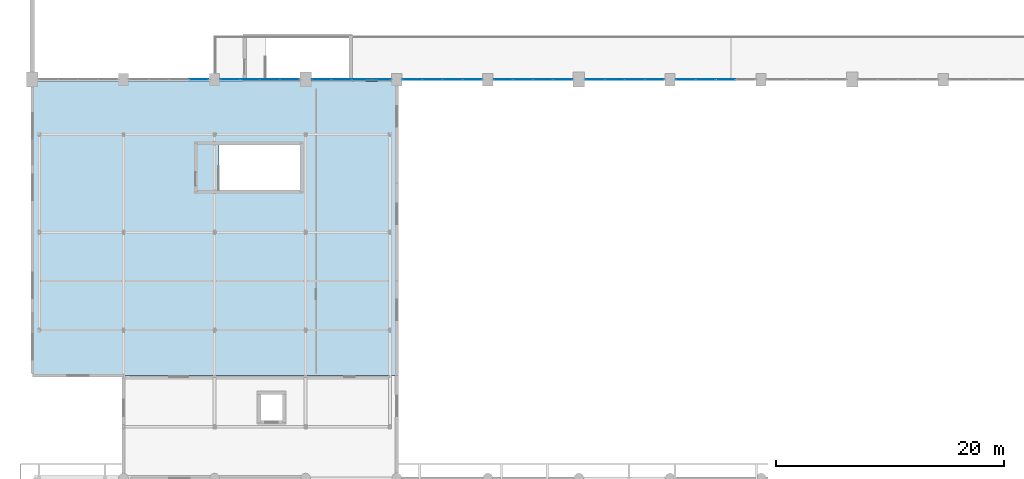
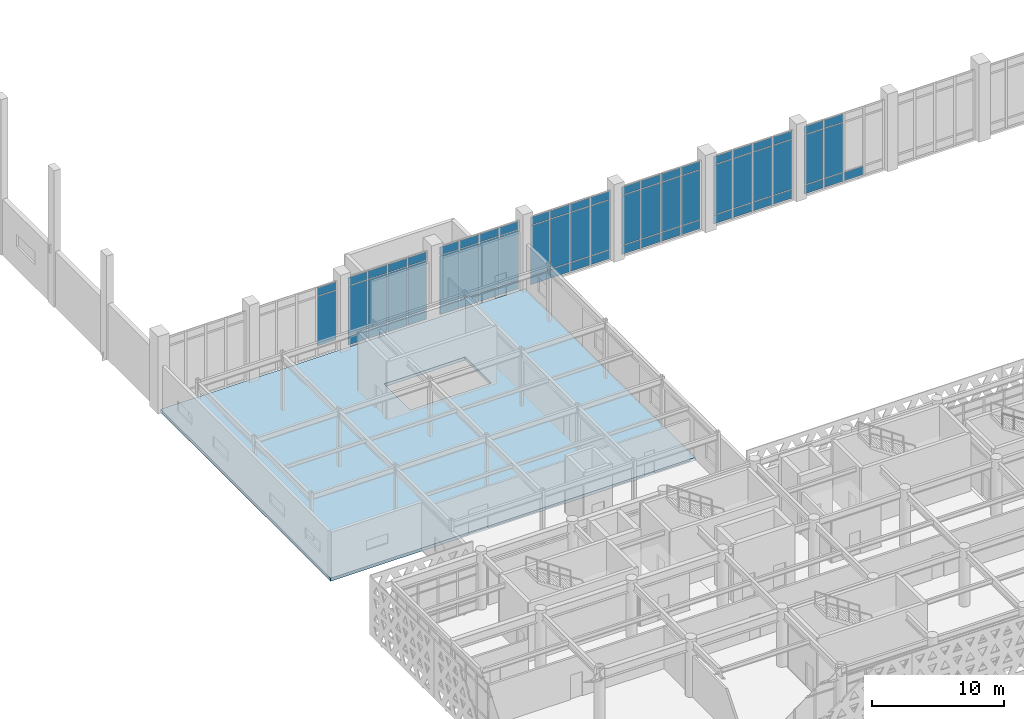
# One storey, part 48 of 84: 69 plates, 1 slab, 7 elements without a shape of their own.
"""IFC4 building model written with IfcOpenShell, lengths in metres."""

from ifc_helpers import new_model, si_unit, direction, frame, origin, origin_2d, place, context, subcontext, project, spatial, polyline, rectangle, outline, extrude, material, layer, layer_set, type_object, element, aggregate, save


model = new_model("IFC4")

# Units and contexts
model_context = context("Model", 3, precision=1e-05, world=origin(), true_north=direction((0.0, 1.0)))
body_context = subcontext(model_context, "Body", "Model", "MODEL_VIEW")
ifc_project = project(units=[si_unit("LENGTHUNIT", "METRE"), si_unit("AREAUNIT", "SQUARE_METRE"), si_unit("VOLUMEUNIT", "CUBIC_METRE"), si_unit("PLANEANGLEUNIT", "RADIAN"), si_unit("MASSUNIT", "GRAM", prefix="KILO")], contexts=[model_context])

# Site, building, storey
site_placement = place(None, origin())
site = spatial("IfcSite", under=ifc_project, at=site_placement, CompositionType="ELEMENT")
building_placement = place(site_placement, origin())
building = spatial("IfcBuilding", under=site, at=building_placement, Name="Tlacozan Convention Centre", CompositionType="ELEMENT")
storey_placement = place(building_placement, frame((0.0, 0.0, 6.0)))
storey = spatial("IfcBuildingStorey", under=building, at=storey_placement, Name="L01", CompositionType="ELEMENT", Elevation=6.0)

# Curtain wall, plates
ifc_material_1 = material(Name="Dark Bronze Anodised Aluminium", Category="aluminium")
ifc_layer_1 = layer(ifc_material_1, 0.199951171875)
ifc_layer_set_1 = layer_set([ifc_layer_1], Name="Dark Bronze Anodised Aluminium")
curtain_wall_type = type_object("IfcCurtainWallType", Name="Exhibition Clerestory Curtain Wall CW10", PredefinedType="NOTDEFINED", material=ifc_layer_set_1)
curtain_wall_1_placement = place(storey_placement, origin())
curtain_wall_1 = element("IfcCurtainWall", 1, at=curtain_wall_1_placement, inside=storey, type_object=curtain_wall_type, Name="L01 CW-10 Run 10", PredefinedType="NOTDEFINED")
ifc_material_2 = material(Name="Solar Control Double Low-E Argon Glazing", Category="glass")
ifc_layer_2 = layer(ifc_material_2, 0.050048828125)
ifc_layer_set_2 = layer_set([ifc_layer_2], Name="Solar Control Double Low-E Argon Glazing")
plate_type = type_object("IfcPlateType", Name="Clerestory Solar CW Panel 50", PredefinedType="CURTAIN_PANEL", material=ifc_layer_set_2)
plate_1_placement = place(storey_placement, frame((14.632568359375, 62.0, 0.9375), z_axis=(0.0, 0.0, 1.0), x_axis=(1.0, 0.0, 0.0)))
plate_1 = element("IfcPlate", 2, at=plate_1_placement, type_object=plate_type, Name="CW-10 panel 4.2", PredefinedType="CURTAIN_PANEL", context=body_context, shape_type="SweptSolid", body=[
    extrude(rectangle(XDim=1.655029296875, YDim=0.050048828125, at=origin_2d()), origin(), (0.0, 0.0, 1.0), 4.574951171875),
])
plate_2_placement = place(storey_placement, frame((14.632568359375, 62.0, 5.58740234375), z_axis=(0.0, 0.0, 1.0), x_axis=(1.0, 0.0, 0.0)))
plate_2 = element("IfcPlate", 3, at=plate_2_placement, type_object=plate_type, Name="CW-10 panel 4.3", PredefinedType="CURTAIN_PANEL", context=body_context, shape_type="SweptSolid", body=[
    extrude(rectangle(XDim=1.655029296875, YDim=0.050048828125, at=origin_2d()), origin(), (0.0, 0.0, 1.0), 0.737548828125),
])
aggregate(curtain_wall_1, [plate_1, plate_2])

curtain_wall_2_placement = place(storey_placement, origin())
curtain_wall_2 = element("IfcCurtainWall", 4, at=curtain_wall_2_placement, inside=storey, type_object=curtain_wall_type, Name="L01 CW-10 Run 11", PredefinedType="NOTDEFINED")
plate_3_placement = place(storey_placement, frame((17.361328125, 62.0, 0.074951171875), z_axis=(0.0, 0.0, 1.0), x_axis=(1.0, 0.0, 0.0)))
plate_3 = element("IfcPlate", 5, at=plate_3_placement, type_object=plate_type, Name="CW-10 panel 1.1", PredefinedType="CURTAIN_PANEL", context=body_context, shape_type="SweptSolid", body=[
    extrude(rectangle(XDim=1.642578125, YDim=0.050048828125, at=origin_2d()), origin(), (0.0, 0.0, 1.0), 0.78759765625),
])
plate_4_placement = place(storey_placement, frame((17.361328125, 62.0, 0.9375), z_axis=(0.0, 0.0, 1.0), x_axis=(1.0, 0.0, 0.0)))
plate_4 = element("IfcPlate", 6, at=plate_4_placement, type_object=plate_type, Name="CW-10 panel 1.2", PredefinedType="CURTAIN_PANEL", context=body_context, shape_type="SweptSolid", body=[
    extrude(rectangle(XDim=1.642578125, YDim=0.050048828125, at=origin_2d()), origin(), (0.0, 0.0, 1.0), 4.574951171875),
])
plate_5_placement = place(storey_placement, frame((17.361328125, 62.0, 5.58740234375), z_axis=(0.0, 0.0, 1.0), x_axis=(1.0, 0.0, 0.0)))
plate_5 = element("IfcPlate", 7, at=plate_5_placement, type_object=plate_type, Name="CW-10 panel 1.3", PredefinedType="CURTAIN_PANEL", context=body_context, shape_type="SweptSolid", body=[
    extrude(rectangle(XDim=1.642578125, YDim=0.050048828125, at=origin_2d()), origin(), (0.0, 0.0, 1.0), 0.737548828125),
])
plate_6_placement = place(storey_placement, frame((19.097412109375, 62.0, 0.074951171875), z_axis=(0.0, 0.0, 1.0), x_axis=(1.0, 0.0, 0.0)))
plate_6 = element("IfcPlate", 8, at=plate_6_placement, type_object=plate_type, Name="CW-10 panel 2.1", PredefinedType="CURTAIN_PANEL", context=body_context, shape_type="SweptSolid", body=[
    extrude(rectangle(XDim=1.679931640625, YDim=0.050048828125, at=origin_2d()), origin(), (0.0, 0.0, 1.0), 0.78759765625),
])
plate_7_placement = place(storey_placement, frame((19.097412109375, 62.0, 0.9375), z_axis=(0.0, 0.0, 1.0), x_axis=(1.0, 0.0, 0.0)))
plate_7 = element("IfcPlate", 9, at=plate_7_placement, type_object=plate_type, Name="CW-10 panel 2.2", PredefinedType="CURTAIN_PANEL", context=body_context, shape_type="SweptSolid", body=[
    extrude(rectangle(XDim=1.679931640625, YDim=0.050048828125, at=origin_2d()), origin(), (0.0, 0.0, 1.0), 4.574951171875),
])
plate_8_placement = place(storey_placement, frame((19.097412109375, 62.0, 5.58740234375), z_axis=(0.0, 0.0, 1.0), x_axis=(1.0, 0.0, 0.0)))
plate_8 = element("IfcPlate", 10, at=plate_8_placement, type_object=plate_type, Name="CW-10 panel 2.3", PredefinedType="CURTAIN_PANEL", context=body_context, shape_type="SweptSolid", body=[
    extrude(rectangle(XDim=1.679931640625, YDim=0.050048828125, at=origin_2d()), origin(), (0.0, 0.0, 1.0), 0.737548828125),
])
plate_9_placement = place(storey_placement, frame((20.8525390625, 62.0, 0.074951171875), z_axis=(0.0, 0.0, 1.0), x_axis=(1.0, 0.0, 0.0)))
plate_9 = element("IfcPlate", 11, at=plate_9_placement, type_object=plate_type, Name="CW-10 panel 3.1", PredefinedType="CURTAIN_PANEL", context=body_context, shape_type="SweptSolid", body=[
    extrude(rectangle(XDim=1.679931640625, YDim=0.050048828125, at=origin_2d()), origin(), (0.0, 0.0, 1.0), 0.78759765625),
])
plate_10_placement = place(storey_placement, frame((20.8525390625, 62.0, 0.9375), z_axis=(0.0, 0.0, 1.0), x_axis=(1.0, 0.0, 0.0)))
plate_10 = element("IfcPlate", 12, at=plate_10_placement, type_object=plate_type, Name="CW-10 panel 3.2", PredefinedType="CURTAIN_PANEL", context=body_context, shape_type="SweptSolid", body=[
    extrude(rectangle(XDim=1.679931640625, YDim=0.050048828125, at=origin_2d()), origin(), (0.0, 0.0, 1.0), 4.574951171875),
])
plate_11_placement = place(storey_placement, frame((20.8525390625, 62.0, 5.58740234375), z_axis=(0.0, 0.0, 1.0), x_axis=(1.0, 0.0, 0.0)))
plate_11 = element("IfcPlate", 13, at=plate_11_placement, type_object=plate_type, Name="CW-10 panel 3.3", PredefinedType="CURTAIN_PANEL", context=body_context, shape_type="SweptSolid", body=[
    extrude(rectangle(XDim=1.679931640625, YDim=0.050048828125, at=origin_2d()), origin(), (0.0, 0.0, 1.0), 0.737548828125),
])
plate_12_placement = place(storey_placement, frame((22.5888671875, 62.0, 0.074951171875), z_axis=(0.0, 0.0, 1.0), x_axis=(1.0, 0.0, 0.0)))
plate_12 = element("IfcPlate", 14, at=plate_12_placement, type_object=plate_type, Name="CW-10 panel 4.1", PredefinedType="CURTAIN_PANEL", context=body_context, shape_type="SweptSolid", body=[
    extrude(rectangle(XDim=1.642578125, YDim=0.050048828125, at=origin_2d()), origin(), (0.0, 0.0, 1.0), 0.78759765625),
])
plate_13_placement = place(storey_placement, frame((22.5888671875, 62.0, 0.9375), z_axis=(0.0, 0.0, 1.0), x_axis=(1.0, 0.0, 0.0)))
plate_13 = element("IfcPlate", 15, at=plate_13_placement, type_object=plate_type, Name="CW-10 panel 4.2", PredefinedType="CURTAIN_PANEL", context=body_context, shape_type="SweptSolid", body=[
    extrude(rectangle(XDim=1.642578125, YDim=0.050048828125, at=origin_2d()), origin(), (0.0, 0.0, 1.0), 4.574951171875),
])
plate_14_placement = place(storey_placement, frame((22.5888671875, 62.0, 5.58740234375), z_axis=(0.0, 0.0, 1.0), x_axis=(1.0, 0.0, 0.0)))
plate_14 = element("IfcPlate", 16, at=plate_14_placement, type_object=plate_type, Name="CW-10 panel 4.3", PredefinedType="CURTAIN_PANEL", context=body_context, shape_type="SweptSolid", body=[
    extrude(rectangle(XDim=1.642578125, YDim=0.050048828125, at=origin_2d()), origin(), (0.0, 0.0, 1.0), 0.737548828125),
])
aggregate(curtain_wall_2, [plate_3, plate_4, plate_5, plate_6, plate_7, plate_8, plate_9, plate_10, plate_11, plate_12, plate_13, plate_14])

curtain_wall_3_placement = place(storey_placement, origin())
curtain_wall_3 = element("IfcCurtainWall", 17, at=curtain_wall_3_placement, inside=storey, type_object=curtain_wall_type, Name="L01 CW-10 Run 12", PredefinedType="NOTDEFINED")
plate_15_placement = place(storey_placement, frame((25.4111328125, 62.0, 0.074951171875), z_axis=(0.0, 0.0, 1.0), x_axis=(1.0, 0.0, 0.0)))
plate_15 = element("IfcPlate", 18, at=plate_15_placement, type_object=plate_type, Name="CW-10 panel 1.1", PredefinedType="CURTAIN_PANEL", context=body_context, shape_type="SweptSolid", body=[
    extrude(rectangle(XDim=1.642578125, YDim=0.050048828125, at=origin_2d()), origin(), (0.0, 0.0, 1.0), 0.78759765625),
])
plate_16_placement = place(storey_placement, frame((25.4111328125, 62.0, 0.9375), z_axis=(0.0, 0.0, 1.0), x_axis=(1.0, 0.0, 0.0)))
plate_16 = element("IfcPlate", 19, at=plate_16_placement, type_object=plate_type, Name="CW-10 panel 1.2", PredefinedType="CURTAIN_PANEL", context=body_context, shape_type="SweptSolid", body=[
    extrude(rectangle(XDim=1.642578125, YDim=0.050048828125, at=origin_2d()), origin(), (0.0, 0.0, 1.0), 4.574951171875),
])
plate_17_placement = place(storey_placement, frame((25.4111328125, 62.0, 5.58740234375), z_axis=(0.0, 0.0, 1.0), x_axis=(1.0, 0.0, 0.0)))
plate_17 = element("IfcPlate", 20, at=plate_17_placement, type_object=plate_type, Name="CW-10 panel 1.3", PredefinedType="CURTAIN_PANEL", context=body_context, shape_type="SweptSolid", body=[
    extrude(rectangle(XDim=1.642578125, YDim=0.050048828125, at=origin_2d()), origin(), (0.0, 0.0, 1.0), 0.737548828125),
])
plate_18_placement = place(storey_placement, frame((27.1474609375, 62.0, 0.074951171875), z_axis=(0.0, 0.0, 1.0), x_axis=(1.0, 0.0, 0.0)))
plate_18 = element("IfcPlate", 21, at=plate_18_placement, type_object=plate_type, Name="CW-10 panel 2.1", PredefinedType="CURTAIN_PANEL", context=body_context, shape_type="SweptSolid", body=[
    extrude(rectangle(XDim=1.679931640625, YDim=0.050048828125, at=origin_2d()), origin(), (0.0, 0.0, 1.0), 0.78759765625),
])
plate_19_placement = place(storey_placement, frame((27.1474609375, 62.0, 0.9375), z_axis=(0.0, 0.0, 1.0), x_axis=(1.0, 0.0, 0.0)))
plate_19 = element("IfcPlate", 22, at=plate_19_placement, type_object=plate_type, Name="CW-10 panel 2.2", PredefinedType="CURTAIN_PANEL", context=body_context, shape_type="SweptSolid", body=[
    extrude(rectangle(XDim=1.679931640625, YDim=0.050048828125, at=origin_2d()), origin(), (0.0, 0.0, 1.0), 4.574951171875),
])
plate_20_placement = place(storey_placement, frame((27.1474609375, 62.0, 5.58740234375), z_axis=(0.0, 0.0, 1.0), x_axis=(1.0, 0.0, 0.0)))
plate_20 = element("IfcPlate", 23, at=plate_20_placement, type_object=plate_type, Name="CW-10 panel 2.3", PredefinedType="CURTAIN_PANEL", context=body_context, shape_type="SweptSolid", body=[
    extrude(rectangle(XDim=1.679931640625, YDim=0.050048828125, at=origin_2d()), origin(), (0.0, 0.0, 1.0), 0.737548828125),
])
plate_21_placement = place(storey_placement, frame((28.902587890625, 62.0, 0.074951171875), z_axis=(0.0, 0.0, 1.0), x_axis=(1.0, 0.0, 0.0)))
plate_21 = element("IfcPlate", 24, at=plate_21_placement, type_object=plate_type, Name="CW-10 panel 3.1", PredefinedType="CURTAIN_PANEL", context=body_context, shape_type="SweptSolid", body=[
    extrude(rectangle(XDim=1.679931640625, YDim=0.050048828125, at=origin_2d()), origin(), (0.0, 0.0, 1.0), 0.78759765625),
])
plate_22_placement = place(storey_placement, frame((28.902587890625, 62.0, 0.9375), z_axis=(0.0, 0.0, 1.0), x_axis=(1.0, 0.0, 0.0)))
plate_22 = element("IfcPlate", 25, at=plate_22_placement, type_object=plate_type, Name="CW-10 panel 3.2", PredefinedType="CURTAIN_PANEL", context=body_context, shape_type="SweptSolid", body=[
    extrude(rectangle(XDim=1.679931640625, YDim=0.050048828125, at=origin_2d()), origin(), (0.0, 0.0, 1.0), 4.574951171875),
])
plate_23_placement = place(storey_placement, frame((28.902587890625, 62.0, 5.58740234375), z_axis=(0.0, 0.0, 1.0), x_axis=(1.0, 0.0, 0.0)))
plate_23 = element("IfcPlate", 26, at=plate_23_placement, type_object=plate_type, Name="CW-10 panel 3.3", PredefinedType="CURTAIN_PANEL", context=body_context, shape_type="SweptSolid", body=[
    extrude(rectangle(XDim=1.679931640625, YDim=0.050048828125, at=origin_2d()), origin(), (0.0, 0.0, 1.0), 0.737548828125),
])
plate_24_placement = place(storey_placement, frame((30.638671875, 62.0, 0.074951171875), z_axis=(0.0, 0.0, 1.0), x_axis=(1.0, 0.0, 0.0)))
plate_24 = element("IfcPlate", 27, at=plate_24_placement, type_object=plate_type, Name="CW-10 panel 4.1", PredefinedType="CURTAIN_PANEL", context=body_context, shape_type="SweptSolid", body=[
    extrude(rectangle(XDim=1.642578125, YDim=0.050048828125, at=origin_2d()), origin(), (0.0, 0.0, 1.0), 0.78759765625),
])
plate_25_placement = place(storey_placement, frame((30.638671875, 62.0, 0.9375), z_axis=(0.0, 0.0, 1.0), x_axis=(1.0, 0.0, 0.0)))
plate_25 = element("IfcPlate", 28, at=plate_25_placement, type_object=plate_type, Name="CW-10 panel 4.2", PredefinedType="CURTAIN_PANEL", context=body_context, shape_type="SweptSolid", body=[
    extrude(rectangle(XDim=1.642578125, YDim=0.050048828125, at=origin_2d()), origin(), (0.0, 0.0, 1.0), 4.574951171875),
])
plate_26_placement = place(storey_placement, frame((30.638671875, 62.0, 5.58740234375), z_axis=(0.0, 0.0, 1.0), x_axis=(1.0, 0.0, 0.0)))
plate_26 = element("IfcPlate", 29, at=plate_26_placement, type_object=plate_type, Name="CW-10 panel 4.3", PredefinedType="CURTAIN_PANEL", context=body_context, shape_type="SweptSolid", body=[
    extrude(rectangle(XDim=1.642578125, YDim=0.050048828125, at=origin_2d()), origin(), (0.0, 0.0, 1.0), 0.737548828125),
])
aggregate(curtain_wall_3, [plate_15, plate_16, plate_17, plate_18, plate_19, plate_20, plate_21, plate_22, plate_23, plate_24, plate_25, plate_26])

curtain_wall_4_placement = place(storey_placement, origin())
curtain_wall_4 = element("IfcCurtainWall", 30, at=curtain_wall_4_placement, inside=storey, type_object=curtain_wall_type, Name="L01 CW-10 Run 13", PredefinedType="NOTDEFINED")
plate_27_placement = place(storey_placement, frame((33.367431640625, 62.0, 0.074951171875), z_axis=(0.0, 0.0, 1.0), x_axis=(1.0, 0.0, 0.0)))
plate_27 = element("IfcPlate", 31, at=plate_27_placement, type_object=plate_type, Name="CW-10 panel 1.1", PredefinedType="CURTAIN_PANEL", context=body_context, shape_type="SweptSolid", body=[
    extrude(rectangle(XDim=1.655029296875, YDim=0.050048828125, at=origin_2d()), origin(), (0.0, 0.0, 1.0), 0.78759765625),
])
plate_28_placement = place(storey_placement, frame((33.367431640625, 62.0, 0.9375), z_axis=(0.0, 0.0, 1.0), x_axis=(1.0, 0.0, 0.0)))
plate_28 = element("IfcPlate", 32, at=plate_28_placement, type_object=plate_type, Name="CW-10 panel 1.2", PredefinedType="CURTAIN_PANEL", context=body_context, shape_type="SweptSolid", body=[
    extrude(rectangle(XDim=1.655029296875, YDim=0.050048828125, at=origin_2d()), origin(), (0.0, 0.0, 1.0), 4.574951171875),
])
plate_29_placement = place(storey_placement, frame((33.367431640625, 62.0, 5.58740234375), z_axis=(0.0, 0.0, 1.0), x_axis=(1.0, 0.0, 0.0)))
plate_29 = element("IfcPlate", 33, at=plate_29_placement, type_object=plate_type, Name="CW-10 panel 1.3", PredefinedType="CURTAIN_PANEL", context=body_context, shape_type="SweptSolid", body=[
    extrude(rectangle(XDim=1.655029296875, YDim=0.050048828125, at=origin_2d()), origin(), (0.0, 0.0, 1.0), 0.737548828125),
])
plate_30_placement = place(storey_placement, frame((35.1162109375, 62.0, 0.074951171875), z_axis=(0.0, 0.0, 1.0), x_axis=(1.0, 0.0, 0.0)))
plate_30 = element("IfcPlate", 34, at=plate_30_placement, type_object=plate_type, Name="CW-10 panel 2.1", PredefinedType="CURTAIN_PANEL", context=body_context, shape_type="SweptSolid", body=[
    extrude(rectangle(XDim=1.6923828125, YDim=0.050048828125, at=origin_2d()), origin(), (0.0, 0.0, 1.0), 0.78759765625),
])
plate_31_placement = place(storey_placement, frame((35.1162109375, 62.0, 0.9375), z_axis=(0.0, 0.0, 1.0), x_axis=(1.0, 0.0, 0.0)))
plate_31 = element("IfcPlate", 35, at=plate_31_placement, type_object=plate_type, Name="CW-10 panel 2.2", PredefinedType="CURTAIN_PANEL", context=body_context, shape_type="SweptSolid", body=[
    extrude(rectangle(XDim=1.6923828125, YDim=0.050048828125, at=origin_2d()), origin(), (0.0, 0.0, 1.0), 4.574951171875),
])
plate_32_placement = place(storey_placement, frame((35.1162109375, 62.0, 5.58740234375), z_axis=(0.0, 0.0, 1.0), x_axis=(1.0, 0.0, 0.0)))
plate_32 = element("IfcPlate", 36, at=plate_32_placement, type_object=plate_type, Name="CW-10 panel 2.3", PredefinedType="CURTAIN_PANEL", context=body_context, shape_type="SweptSolid", body=[
    extrude(rectangle(XDim=1.6923828125, YDim=0.050048828125, at=origin_2d()), origin(), (0.0, 0.0, 1.0), 0.737548828125),
])
plate_33_placement = place(storey_placement, frame((36.8837890625, 62.0, 0.074951171875), z_axis=(0.0, 0.0, 1.0), x_axis=(1.0, 0.0, 0.0)))
plate_33 = element("IfcPlate", 37, at=plate_33_placement, type_object=plate_type, Name="CW-10 panel 3.1", PredefinedType="CURTAIN_PANEL", context=body_context, shape_type="SweptSolid", body=[
    extrude(rectangle(XDim=1.6923828125, YDim=0.050048828125, at=origin_2d()), origin(), (0.0, 0.0, 1.0), 0.78759765625),
])
plate_34_placement = place(storey_placement, frame((36.8837890625, 62.0, 0.9375), z_axis=(0.0, 0.0, 1.0), x_axis=(1.0, 0.0, 0.0)))
plate_34 = element("IfcPlate", 38, at=plate_34_placement, type_object=plate_type, Name="CW-10 panel 3.2", PredefinedType="CURTAIN_PANEL", context=body_context, shape_type="SweptSolid", body=[
    extrude(rectangle(XDim=1.6923828125, YDim=0.050048828125, at=origin_2d()), origin(), (0.0, 0.0, 1.0), 4.574951171875),
])
plate_35_placement = place(storey_placement, frame((36.8837890625, 62.0, 5.58740234375), z_axis=(0.0, 0.0, 1.0), x_axis=(1.0, 0.0, 0.0)))
plate_35 = element("IfcPlate", 39, at=plate_35_placement, type_object=plate_type, Name="CW-10 panel 3.3", PredefinedType="CURTAIN_PANEL", context=body_context, shape_type="SweptSolid", body=[
    extrude(rectangle(XDim=1.6923828125, YDim=0.050048828125, at=origin_2d()), origin(), (0.0, 0.0, 1.0), 0.737548828125),
])
plate_36_placement = place(storey_placement, frame((38.632568359375, 62.0, 0.074951171875), z_axis=(0.0, 0.0, 1.0), x_axis=(1.0, 0.0, 0.0)))
plate_36 = element("IfcPlate", 40, at=plate_36_placement, type_object=plate_type, Name="CW-10 panel 4.1", PredefinedType="CURTAIN_PANEL", context=body_context, shape_type="SweptSolid", body=[
    extrude(rectangle(XDim=1.655029296875, YDim=0.050048828125, at=origin_2d()), origin(), (0.0, 0.0, 1.0), 0.78759765625),
])
plate_37_placement = place(storey_placement, frame((38.632568359375, 62.0, 0.9375), z_axis=(0.0, 0.0, 1.0), x_axis=(1.0, 0.0, 0.0)))
plate_37 = element("IfcPlate", 41, at=plate_37_placement, type_object=plate_type, Name="CW-10 panel 4.2", PredefinedType="CURTAIN_PANEL", context=body_context, shape_type="SweptSolid", body=[
    extrude(rectangle(XDim=1.655029296875, YDim=0.050048828125, at=origin_2d()), origin(), (0.0, 0.0, 1.0), 4.574951171875),
])
plate_38_placement = place(storey_placement, frame((38.632568359375, 62.0, 5.58740234375), z_axis=(0.0, 0.0, 1.0), x_axis=(1.0, 0.0, 0.0)))
plate_38 = element("IfcPlate", 42, at=plate_38_placement, type_object=plate_type, Name="CW-10 panel 4.3", PredefinedType="CURTAIN_PANEL", context=body_context, shape_type="SweptSolid", body=[
    extrude(rectangle(XDim=1.655029296875, YDim=0.050048828125, at=origin_2d()), origin(), (0.0, 0.0, 1.0), 0.737548828125),
])
aggregate(curtain_wall_4, [plate_27, plate_28, plate_29, plate_30, plate_31, plate_32, plate_33, plate_34, plate_35, plate_36, plate_37, plate_38])

curtain_wall_5_placement = place(storey_placement, origin())
curtain_wall_5 = element("IfcCurtainWall", 43, at=curtain_wall_5_placement, inside=storey, type_object=curtain_wall_type, Name="L01 CW-10 Run 14", PredefinedType="NOTDEFINED")
plate_39_placement = place(storey_placement, frame((41.361328125, 62.0, 0.074951171875), z_axis=(0.0, 0.0, 1.0), x_axis=(1.0, 0.0, 0.0)))
plate_39 = element("IfcPlate", 44, at=plate_39_placement, type_object=plate_type, Name="CW-10 panel 1.1", PredefinedType="CURTAIN_PANEL", context=body_context, shape_type="SweptSolid", body=[
    extrude(rectangle(XDim=1.642578125, YDim=0.050048828125, at=origin_2d()), origin(), (0.0, 0.0, 1.0), 0.78759765625),
])
plate_40_placement = place(storey_placement, frame((41.361328125, 62.0, 0.9375), z_axis=(0.0, 0.0, 1.0), x_axis=(1.0, 0.0, 0.0)))
plate_40 = element("IfcPlate", 45, at=plate_40_placement, type_object=plate_type, Name="CW-10 panel 1.2", PredefinedType="CURTAIN_PANEL", context=body_context, shape_type="SweptSolid", body=[
    extrude(rectangle(XDim=1.642578125, YDim=0.050048828125, at=origin_2d()), origin(), (0.0, 0.0, 1.0), 4.574951171875),
])
plate_41_placement = place(storey_placement, frame((41.361328125, 62.0, 5.58740234375), z_axis=(0.0, 0.0, 1.0), x_axis=(1.0, 0.0, 0.0)))
plate_41 = element("IfcPlate", 46, at=plate_41_placement, type_object=plate_type, Name="CW-10 panel 1.3", PredefinedType="CURTAIN_PANEL", context=body_context, shape_type="SweptSolid", body=[
    extrude(rectangle(XDim=1.642578125, YDim=0.050048828125, at=origin_2d()), origin(), (0.0, 0.0, 1.0), 0.737548828125),
])
plate_42_placement = place(storey_placement, frame((43.097412109375, 62.0, 0.074951171875), z_axis=(0.0, 0.0, 1.0), x_axis=(1.0, 0.0, 0.0)))
plate_42 = element("IfcPlate", 47, at=plate_42_placement, type_object=plate_type, Name="CW-10 panel 2.1", PredefinedType="CURTAIN_PANEL", context=body_context, shape_type="SweptSolid", body=[
    extrude(rectangle(XDim=1.679931640625, YDim=0.050048828125, at=origin_2d()), origin(), (0.0, 0.0, 1.0), 0.78759765625),
])
plate_43_placement = place(storey_placement, frame((43.097412109375, 62.0, 0.9375), z_axis=(0.0, 0.0, 1.0), x_axis=(1.0, 0.0, 0.0)))
plate_43 = element("IfcPlate", 48, at=plate_43_placement, type_object=plate_type, Name="CW-10 panel 2.2", PredefinedType="CURTAIN_PANEL", context=body_context, shape_type="SweptSolid", body=[
    extrude(rectangle(XDim=1.679931640625, YDim=0.050048828125, at=origin_2d()), origin(), (0.0, 0.0, 1.0), 4.574951171875),
])
plate_44_placement = place(storey_placement, frame((43.097412109375, 62.0, 5.58740234375), z_axis=(0.0, 0.0, 1.0), x_axis=(1.0, 0.0, 0.0)))
plate_44 = element("IfcPlate", 49, at=plate_44_placement, type_object=plate_type, Name="CW-10 panel 2.3", PredefinedType="CURTAIN_PANEL", context=body_context, shape_type="SweptSolid", body=[
    extrude(rectangle(XDim=1.679931640625, YDim=0.050048828125, at=origin_2d()), origin(), (0.0, 0.0, 1.0), 0.737548828125),
])
plate_45_placement = place(storey_placement, frame((44.8525390625, 62.0, 0.074951171875), z_axis=(0.0, 0.0, 1.0), x_axis=(1.0, 0.0, 0.0)))
plate_45 = element("IfcPlate", 50, at=plate_45_placement, type_object=plate_type, Name="CW-10 panel 3.1", PredefinedType="CURTAIN_PANEL", context=body_context, shape_type="SweptSolid", body=[
    extrude(rectangle(XDim=1.679931640625, YDim=0.050048828125, at=origin_2d()), origin(), (0.0, 0.0, 1.0), 0.78759765625),
])
plate_46_placement = place(storey_placement, frame((44.8525390625, 62.0, 0.9375), z_axis=(0.0, 0.0, 1.0), x_axis=(1.0, 0.0, 0.0)))
plate_46 = element("IfcPlate", 51, at=plate_46_placement, type_object=plate_type, Name="CW-10 panel 3.2", PredefinedType="CURTAIN_PANEL", context=body_context, shape_type="SweptSolid", body=[
    extrude(rectangle(XDim=1.679931640625, YDim=0.050048828125, at=origin_2d()), origin(), (0.0, 0.0, 1.0), 4.574951171875),
])
plate_47_placement = place(storey_placement, frame((44.8525390625, 62.0, 5.58740234375), z_axis=(0.0, 0.0, 1.0), x_axis=(1.0, 0.0, 0.0)))
plate_47 = element("IfcPlate", 52, at=plate_47_placement, type_object=plate_type, Name="CW-10 panel 3.3", PredefinedType="CURTAIN_PANEL", context=body_context, shape_type="SweptSolid", body=[
    extrude(rectangle(XDim=1.679931640625, YDim=0.050048828125, at=origin_2d()), origin(), (0.0, 0.0, 1.0), 0.737548828125),
])
plate_48_placement = place(storey_placement, frame((46.5888671875, 62.0, 0.074951171875), z_axis=(0.0, 0.0, 1.0), x_axis=(1.0, 0.0, 0.0)))
plate_48 = element("IfcPlate", 53, at=plate_48_placement, type_object=plate_type, Name="CW-10 panel 4.1", PredefinedType="CURTAIN_PANEL", context=body_context, shape_type="SweptSolid", body=[
    extrude(rectangle(XDim=1.642578125, YDim=0.050048828125, at=origin_2d()), origin(), (0.0, 0.0, 1.0), 0.78759765625),
])
plate_49_placement = place(storey_placement, frame((46.5888671875, 62.0, 0.9375), z_axis=(0.0, 0.0, 1.0), x_axis=(1.0, 0.0, 0.0)))
plate_49 = element("IfcPlate", 54, at=plate_49_placement, type_object=plate_type, Name="CW-10 panel 4.2", PredefinedType="CURTAIN_PANEL", context=body_context, shape_type="SweptSolid", body=[
    extrude(rectangle(XDim=1.642578125, YDim=0.050048828125, at=origin_2d()), origin(), (0.0, 0.0, 1.0), 4.574951171875),
])
plate_50_placement = place(storey_placement, frame((46.5888671875, 62.0, 5.58740234375), z_axis=(0.0, 0.0, 1.0), x_axis=(1.0, 0.0, 0.0)))
plate_50 = element("IfcPlate", 55, at=plate_50_placement, type_object=plate_type, Name="CW-10 panel 4.3", PredefinedType="CURTAIN_PANEL", context=body_context, shape_type="SweptSolid", body=[
    extrude(rectangle(XDim=1.642578125, YDim=0.050048828125, at=origin_2d()), origin(), (0.0, 0.0, 1.0), 0.737548828125),
])
aggregate(curtain_wall_5, [plate_39, plate_40, plate_41, plate_42, plate_43, plate_44, plate_45, plate_46, plate_47, plate_48, plate_49, plate_50])

curtain_wall_6_placement = place(storey_placement, origin())
curtain_wall_6 = element("IfcCurtainWall", 56, at=curtain_wall_6_placement, inside=storey, type_object=curtain_wall_type, Name="L01 CW-10 Run 15", PredefinedType="NOTDEFINED")
plate_51_placement = place(storey_placement, frame((49.4111328125, 62.0, 0.074951171875), z_axis=(0.0, 0.0, 1.0), x_axis=(1.0, 0.0, 0.0)))
plate_51 = element("IfcPlate", 57, at=plate_51_placement, type_object=plate_type, Name="CW-10 panel 1.1", PredefinedType="CURTAIN_PANEL", context=body_context, shape_type="SweptSolid", body=[
    extrude(rectangle(XDim=1.642578125, YDim=0.050048828125, at=origin_2d()), origin(), (0.0, 0.0, 1.0), 0.78759765625),
])
plate_52_placement = place(storey_placement, frame((49.4111328125, 62.0, 0.9375), z_axis=(0.0, 0.0, 1.0), x_axis=(1.0, 0.0, 0.0)))
plate_52 = element("IfcPlate", 58, at=plate_52_placement, type_object=plate_type, Name="CW-10 panel 1.2", PredefinedType="CURTAIN_PANEL", context=body_context, shape_type="SweptSolid", body=[
    extrude(rectangle(XDim=1.642578125, YDim=0.050048828125, at=origin_2d()), origin(), (0.0, 0.0, 1.0), 4.574951171875),
])
plate_53_placement = place(storey_placement, frame((49.4111328125, 62.0, 5.58740234375), z_axis=(0.0, 0.0, 1.0), x_axis=(1.0, 0.0, 0.0)))
plate_53 = element("IfcPlate", 59, at=plate_53_placement, type_object=plate_type, Name="CW-10 panel 1.3", PredefinedType="CURTAIN_PANEL", context=body_context, shape_type="SweptSolid", body=[
    extrude(rectangle(XDim=1.642578125, YDim=0.050048828125, at=origin_2d()), origin(), (0.0, 0.0, 1.0), 0.737548828125),
])
plate_54_placement = place(storey_placement, frame((51.1474609375, 62.0, 0.074951171875), z_axis=(0.0, 0.0, 1.0), x_axis=(1.0, 0.0, 0.0)))
plate_54 = element("IfcPlate", 60, at=plate_54_placement, type_object=plate_type, Name="CW-10 panel 2.1", PredefinedType="CURTAIN_PANEL", context=body_context, shape_type="SweptSolid", body=[
    extrude(rectangle(XDim=1.679931640625, YDim=0.050048828125, at=origin_2d()), origin(), (0.0, 0.0, 1.0), 0.78759765625),
])
plate_55_placement = place(storey_placement, frame((51.1474609375, 62.0, 0.9375), z_axis=(0.0, 0.0, 1.0), x_axis=(1.0, 0.0, 0.0)))
plate_55 = element("IfcPlate", 61, at=plate_55_placement, type_object=plate_type, Name="CW-10 panel 2.2", PredefinedType="CURTAIN_PANEL", context=body_context, shape_type="SweptSolid", body=[
    extrude(rectangle(XDim=1.679931640625, YDim=0.050048828125, at=origin_2d()), origin(), (0.0, 0.0, 1.0), 4.574951171875),
])
plate_56_placement = place(storey_placement, frame((51.1474609375, 62.0, 5.58740234375), z_axis=(0.0, 0.0, 1.0), x_axis=(1.0, 0.0, 0.0)))
plate_56 = element("IfcPlate", 62, at=plate_56_placement, type_object=plate_type, Name="CW-10 panel 2.3", PredefinedType="CURTAIN_PANEL", context=body_context, shape_type="SweptSolid", body=[
    extrude(rectangle(XDim=1.679931640625, YDim=0.050048828125, at=origin_2d()), origin(), (0.0, 0.0, 1.0), 0.737548828125),
])
plate_57_placement = place(storey_placement, frame((52.902587890625, 62.0, 0.074951171875), z_axis=(0.0, 0.0, 1.0), x_axis=(1.0, 0.0, 0.0)))
plate_57 = element("IfcPlate", 63, at=plate_57_placement, type_object=plate_type, Name="CW-10 panel 3.1", PredefinedType="CURTAIN_PANEL", context=body_context, shape_type="SweptSolid", body=[
    extrude(rectangle(XDim=1.679931640625, YDim=0.050048828125, at=origin_2d()), origin(), (0.0, 0.0, 1.0), 0.78759765625),
])
plate_58_placement = place(storey_placement, frame((52.902587890625, 62.0, 0.9375), z_axis=(0.0, 0.0, 1.0), x_axis=(1.0, 0.0, 0.0)))
plate_58 = element("IfcPlate", 64, at=plate_58_placement, type_object=plate_type, Name="CW-10 panel 3.2", PredefinedType="CURTAIN_PANEL", context=body_context, shape_type="SweptSolid", body=[
    extrude(rectangle(XDim=1.679931640625, YDim=0.050048828125, at=origin_2d()), origin(), (0.0, 0.0, 1.0), 4.574951171875),
])
plate_59_placement = place(storey_placement, frame((52.902587890625, 62.0, 5.58740234375), z_axis=(0.0, 0.0, 1.0), x_axis=(1.0, 0.0, 0.0)))
plate_59 = element("IfcPlate", 65, at=plate_59_placement, type_object=plate_type, Name="CW-10 panel 3.3", PredefinedType="CURTAIN_PANEL", context=body_context, shape_type="SweptSolid", body=[
    extrude(rectangle(XDim=1.679931640625, YDim=0.050048828125, at=origin_2d()), origin(), (0.0, 0.0, 1.0), 0.737548828125),
])
plate_60_placement = place(storey_placement, frame((54.638671875, 62.0, 0.074951171875), z_axis=(0.0, 0.0, 1.0), x_axis=(1.0, 0.0, 0.0)))
plate_60 = element("IfcPlate", 66, at=plate_60_placement, type_object=plate_type, Name="CW-10 panel 4.1", PredefinedType="CURTAIN_PANEL", context=body_context, shape_type="SweptSolid", body=[
    extrude(rectangle(XDim=1.642578125, YDim=0.050048828125, at=origin_2d()), origin(), (0.0, 0.0, 1.0), 0.78759765625),
])
plate_61_placement = place(storey_placement, frame((54.638671875, 62.0, 0.9375), z_axis=(0.0, 0.0, 1.0), x_axis=(1.0, 0.0, 0.0)))
plate_61 = element("IfcPlate", 67, at=plate_61_placement, type_object=plate_type, Name="CW-10 panel 4.2", PredefinedType="CURTAIN_PANEL", context=body_context, shape_type="SweptSolid", body=[
    extrude(rectangle(XDim=1.642578125, YDim=0.050048828125, at=origin_2d()), origin(), (0.0, 0.0, 1.0), 4.574951171875),
])
plate_62_placement = place(storey_placement, frame((54.638671875, 62.0, 5.58740234375), z_axis=(0.0, 0.0, 1.0), x_axis=(1.0, 0.0, 0.0)))
plate_62 = element("IfcPlate", 68, at=plate_62_placement, type_object=plate_type, Name="CW-10 panel 4.3", PredefinedType="CURTAIN_PANEL", context=body_context, shape_type="SweptSolid", body=[
    extrude(rectangle(XDim=1.642578125, YDim=0.050048828125, at=origin_2d()), origin(), (0.0, 0.0, 1.0), 0.737548828125),
])
aggregate(curtain_wall_6, [plate_51, plate_52, plate_53, plate_54, plate_55, plate_56, plate_57, plate_58, plate_59, plate_60, plate_61, plate_62])

curtain_wall_7_placement = place(storey_placement, origin())
curtain_wall_7 = element("IfcCurtainWall", 69, at=curtain_wall_7_placement, inside=storey, type_object=curtain_wall_type, Name="L01 CW-10 Run 16", PredefinedType="NOTDEFINED")
plate_63_placement = place(storey_placement, frame((57.367431640625, 62.0, 0.074951171875), z_axis=(0.0, 0.0, 1.0), x_axis=(1.0, 0.0, 0.0)))
plate_63 = element("IfcPlate", 70, at=plate_63_placement, type_object=plate_type, Name="CW-10 panel 1.1", PredefinedType="CURTAIN_PANEL", context=body_context, shape_type="SweptSolid", body=[
    extrude(rectangle(XDim=1.655029296875, YDim=0.050048828125, at=origin_2d()), origin(), (0.0, 0.0, 1.0), 0.78759765625),
])
plate_64_placement = place(storey_placement, frame((57.367431640625, 62.0, 0.9375), z_axis=(0.0, 0.0, 1.0), x_axis=(1.0, 0.0, 0.0)))
plate_64 = element("IfcPlate", 71, at=plate_64_placement, type_object=plate_type, Name="CW-10 panel 1.2", PredefinedType="CURTAIN_PANEL", context=body_context, shape_type="SweptSolid", body=[
    extrude(rectangle(XDim=1.655029296875, YDim=0.050048828125, at=origin_2d()), origin(), (0.0, 0.0, 1.0), 4.574951171875),
])
plate_65_placement = place(storey_placement, frame((57.367431640625, 62.0, 5.58740234375), z_axis=(0.0, 0.0, 1.0), x_axis=(1.0, 0.0, 0.0)))
plate_65 = element("IfcPlate", 72, at=plate_65_placement, type_object=plate_type, Name="CW-10 panel 1.3", PredefinedType="CURTAIN_PANEL", context=body_context, shape_type="SweptSolid", body=[
    extrude(rectangle(XDim=1.655029296875, YDim=0.050048828125, at=origin_2d()), origin(), (0.0, 0.0, 1.0), 0.737548828125),
])
plate_66_placement = place(storey_placement, frame((59.1162109375, 62.0, 0.074951171875), z_axis=(0.0, 0.0, 1.0), x_axis=(1.0, 0.0, 0.0)))
plate_66 = element("IfcPlate", 73, at=plate_66_placement, type_object=plate_type, Name="CW-10 panel 2.1", PredefinedType="CURTAIN_PANEL", context=body_context, shape_type="SweptSolid", body=[
    extrude(rectangle(XDim=1.6923828125, YDim=0.050048828125, at=origin_2d()), origin(), (0.0, 0.0, 1.0), 0.78759765625),
])
plate_67_placement = place(storey_placement, frame((59.1162109375, 62.0, 0.9375), z_axis=(0.0, 0.0, 1.0), x_axis=(1.0, 0.0, 0.0)))
plate_67 = element("IfcPlate", 74, at=plate_67_placement, type_object=plate_type, Name="CW-10 panel 2.2", PredefinedType="CURTAIN_PANEL", context=body_context, shape_type="SweptSolid", body=[
    extrude(rectangle(XDim=1.6923828125, YDim=0.050048828125, at=origin_2d()), origin(), (0.0, 0.0, 1.0), 4.574951171875),
])
plate_68_placement = place(storey_placement, frame((59.1162109375, 62.0, 5.58740234375), z_axis=(0.0, 0.0, 1.0), x_axis=(1.0, 0.0, 0.0)))
plate_68 = element("IfcPlate", 75, at=plate_68_placement, type_object=plate_type, Name="CW-10 panel 2.3", PredefinedType="CURTAIN_PANEL", context=body_context, shape_type="SweptSolid", body=[
    extrude(rectangle(XDim=1.6923828125, YDim=0.050048828125, at=origin_2d()), origin(), (0.0, 0.0, 1.0), 0.737548828125),
])
plate_69_placement = place(storey_placement, frame((60.8837890625, 62.0, 0.074951171875), z_axis=(0.0, 0.0, 1.0), x_axis=(1.0, 0.0, 0.0)))
plate_69 = element("IfcPlate", 76, at=plate_69_placement, type_object=plate_type, Name="CW-10 panel 3.1", PredefinedType="CURTAIN_PANEL", context=body_context, shape_type="SweptSolid", body=[
    extrude(rectangle(XDim=1.6923828125, YDim=0.050048828125, at=origin_2d()), origin(), (0.0, 0.0, 1.0), 0.78759765625),
])
aggregate(curtain_wall_7, [plate_63, plate_64, plate_65, plate_66, plate_67, plate_68, plate_69])

# Slab
ifc_material_3 = material(Name="Concrete C40/50", Category="concrete")
ifc_layer_3 = layer(ifc_material_3, 0.280029296875)
ifc_layer_set_3 = layer_set([ifc_layer_3], Name="Concrete C40/50")
slab_type = type_object("IfcSlabType", Name="Congress Composite Floor Slab 280", PredefinedType="FLOOR", material=ifc_layer_set_3)
slab_placement = place(storey_placement, frame((0.0, 0.0, -0.280029296875)))
element("IfcSlab", 77, at=slab_placement, inside=storey, type_object=slab_type, Name="L01 Congress Composite Floor Slab 280 65", PredefinedType="FLOOR", context=body_context, shape_type="SweptSolid", body=[
    extrude(outline(polyline([(0.0, 36.0), (0.0, 61.85009765625), (32.0, 61.85009765625), (32.0, 36.0), (0.0, 36.0)]), holes=[polyline([(16.3798828125, 52.300048828125), (23.5, 52.300048828125), (23.5, 56.260009765625), (16.3798828125, 56.260009765625), (16.3798828125, 52.300048828125)])]), origin(), (0.0, 0.0, 1.0), 0.280029296875),
])

save(model, "model.ifc")
